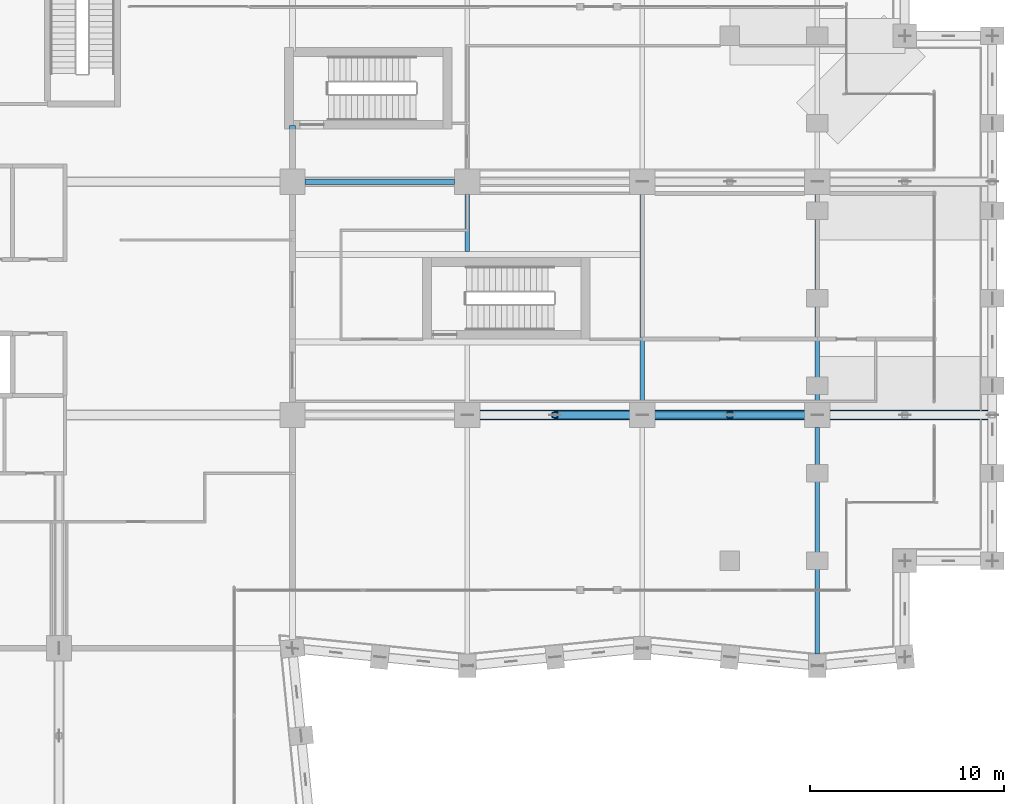
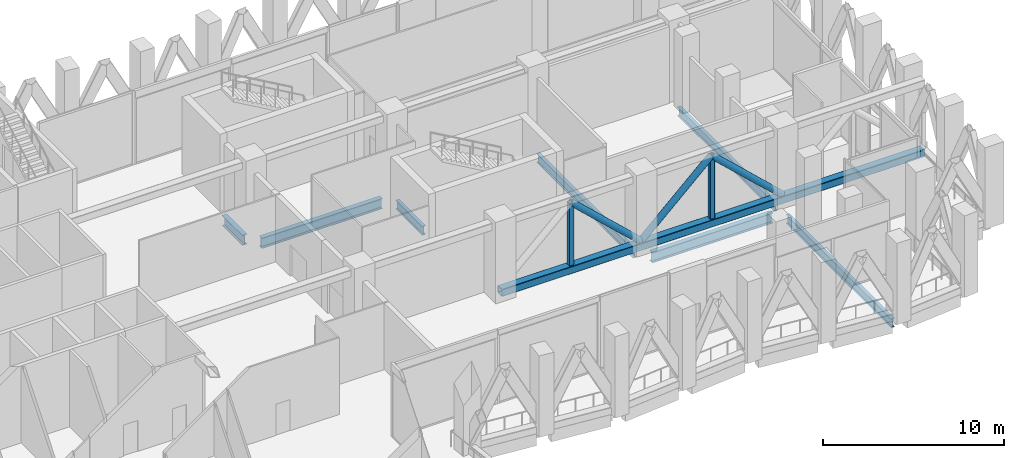
# One storey, part 14 of 37: 7 beams, 6 members.
"""IFC4 building model written with IfcOpenShell, lengths in metres."""

from ifc_helpers import new_model, si_unit, direction, frame, origin, origin_2d, place, context, subcontext, project, spatial, hollow_rectangle, hollow_circle, i_section, extrude, material, material_profile, profile_set, type_object, element, save


model = new_model("IFC4")

# Units and contexts
model_context = context("Model", 3, precision=1e-05, world=origin(), true_north=direction((0.0, 1.0)))
body_context = subcontext(model_context, "Body", "Model", "MODEL_VIEW")
ifc_project = project(units=[si_unit("LENGTHUNIT", "METRE"), si_unit("AREAUNIT", "SQUARE_METRE"), si_unit("VOLUMEUNIT", "CUBIC_METRE"), si_unit("PLANEANGLEUNIT", "RADIAN"), si_unit("MASSUNIT", "GRAM", prefix="KILO")], contexts=[model_context])

# Site, building, storey
site_placement = place(None, origin())
site = spatial("IfcSite", under=ifc_project, at=site_placement, CompositionType="ELEMENT")
building_placement = place(site_placement, origin())
building = spatial("IfcBuilding", under=site, at=building_placement, Name="Brondeck Convention Tower", CompositionType="ELEMENT")
storey_placement = place(building_placement, frame((0.0, 0.0, 137.89990234375)))
storey = spatial("IfcBuildingStorey", under=building, at=storey_placement, Name="L33", CompositionType="ELEMENT", Elevation=137.89990234375)

# Beams
ifc_material_1 = material(Name="Steel S355", Category="steel")
ifc_material_profile_1 = material_profile(ifc_material_1, i_section(OverallWidth=0.219970703125, OverallDepth=0.60009765625, WebThickness=0.011962890625, FlangeThickness=0.01904296875, FilletRadius=0.02392578125, at=origin_2d()), Name="IPE 600")
ifc_profile_set_1 = profile_set([ifc_material_profile_1], Name="Steel S355")
beam_type_1 = type_object("IfcBeamType", Name="Floor beam IPE 600", PredefinedType="BEAM", material=ifc_profile_set_1)
beam_1_placement = place(storey_placement, frame((54.0, 39.64990234375, -0.75), z_axis=(0.0, 1.0, 0.0), x_axis=(-1.0, 0.0, 0.0)))
element("IfcBeam", 1, at=beam_1_placement, inside=storey, type_object=beam_type_1, Name="STR-FB-L33-004", PredefinedType="BEAM", context=body_context, shape_type="SweptSolid", body=[
    extrude(i_section(OverallWidth=0.219970703125, OverallDepth=0.60009765625, WebThickness=0.011962890625, FlangeThickness=0.01904296875, FilletRadius=0.02392578125, at=origin_2d()), origin(), (0.0, 0.0, 1.0), 10.7001953125),
])
beam_2_placement = place(storey_placement, frame((63.0, 26.699951171875, -0.75), z_axis=(0.0, 1.0, 0.0), x_axis=(-1.0, 0.0, 0.0)))
element("IfcBeam", 2, at=beam_2_placement, inside=storey, type_object=beam_type_1, Name="STR-FB-L33-006", PredefinedType="BEAM", context=body_context, shape_type="SweptSolid", body=[
    extrude(i_section(OverallWidth=0.219970703125, OverallDepth=0.60009765625, WebThickness=0.011962890625, FlangeThickness=0.01904296875, FilletRadius=0.02392578125, at=origin_2d()), origin(), (0.0, 0.0, 1.0), 11.650146484375),
])
beam_3_placement = place(storey_placement, frame((63.0, 39.64990234375, -0.75), z_axis=(0.0, 1.0, 0.0), x_axis=(-1.0, 0.0, 0.0)))
element("IfcBeam", 3, at=beam_3_placement, inside=storey, type_object=beam_type_1, Name="STR-FB-L33-007", PredefinedType="BEAM", context=body_context, shape_type="SweptSolid", body=[
    extrude(i_section(OverallWidth=0.219970703125, OverallDepth=0.60009765625, WebThickness=0.011962890625, FlangeThickness=0.01904296875, FilletRadius=0.02392578125, at=origin_2d()), origin(), (0.0, 0.0, 1.0), 10.7001953125),
])
beam_4_placement = place(storey_placement, frame((45.0, 47.39990234375, -0.75), z_axis=(0.0, 1.0, 0.0), x_axis=(-1.0, 0.0, 0.0)))
element("IfcBeam", 4, at=beam_4_placement, inside=storey, type_object=beam_type_1, Name="STR-FB-L33-015", PredefinedType="BEAM", context=body_context, shape_type="SweptSolid", body=[
    extrude(i_section(OverallWidth=0.219970703125, OverallDepth=0.60009765625, WebThickness=0.011962890625, FlangeThickness=0.01904296875, FilletRadius=0.02392578125, at=origin_2d()), origin(), (0.0, 0.0, 1.0), 2.9501953125),
])
ifc_material_profile_2 = material_profile(ifc_material_1, i_section(OverallWidth=0.300048828125, OverallDepth=0.699951171875, WebThickness=0.01708984375, FlangeThickness=0.031982421875, FilletRadius=0.027099609375, at=origin_2d()), Name="HEB 700")
ifc_profile_set_2 = profile_set([ifc_material_profile_2], Name="Steel S355")
beam_type_2 = type_object("IfcBeamType", Name="Girder HEB 700", PredefinedType="BEAM", material=ifc_profile_set_2)
for number, where, z_axis, x_axis, name in (
    (5, (54.64990234375, 39.0, -0.7998046875), (1.0, 0.0, 0.0), (0.0, 1.0, 0.0), "STR-GR-L33-003"),
    (6, (36.64990234375, 51.0, -0.7998046875), (1.0, 0.0, 0.0), (0.0, 1.0, 0.0), "STR-GR-L33-005"),
):
    element("IfcBeam", number, at=place(storey_placement, frame(where, z_axis=z_axis, x_axis=x_axis)), inside=storey, type_object=beam_type_2, Name=name, PredefinedType="BEAM", context=body_context, shape_type="SweptSolid", body=[
        extrude(i_section(OverallWidth=0.300048828125, OverallDepth=0.699951171875, WebThickness=0.01708984375, FlangeThickness=0.031982421875, FilletRadius=0.027099609375, at=origin_2d()), origin(), (0.0, 0.0, 1.0), 7.7001953125),
    ])
beam_5_placement = place(storey_placement, frame((36.0, 51.64990234375, -0.7998046875), z_axis=(0.0, 1.0, 0.0), x_axis=(-1.0, 0.0, 0.0)))
element("IfcBeam", 7, at=beam_5_placement, inside=storey, type_object=beam_type_2, Name="STR-GR-L33-011", PredefinedType="BEAM", context=body_context, shape_type="SweptSolid", body=[
    extrude(i_section(OverallWidth=0.300048828125, OverallDepth=0.699951171875, WebThickness=0.01708984375, FlangeThickness=0.031982421875, FilletRadius=0.027099609375, at=origin_2d()), origin(), (0.0, 0.0, 1.0), 2.22998046875),
])

# Members
ifc_material_2 = material(Name="Steel S460", Category="steel")
ifc_material_profile_3 = material_profile(ifc_material_2, hollow_rectangle(XDim=0.5, YDim=0.5, WallThickness=0.02490234375, InnerFilletRadius=0.02490234375, OuterFilletRadius=0.050048828125, at=origin_2d()), Name="RHS 500x500x25")
ifc_profile_set_3 = profile_set([ifc_material_profile_3], Name="Steel S460")
member_type_1 = type_object("IfcMemberType", Name="Truss chord RHS 500x500x25", PredefinedType="CHORD", material=ifc_profile_set_3)
member_placement = place(storey_placement, frame((45.0, 39.0, 0.25), z_axis=(1.0, 0.0, 0.0), x_axis=(0.0, 1.0, 0.0)))
element("IfcMember", 8, at=member_placement, inside=storey, type_object=member_type_1, Name="Outrigger truss OT-33-A1 chord", PredefinedType="CHORD", context=body_context, shape_type="SweptSolid", body=[
    extrude(hollow_rectangle(XDim=0.5, YDim=0.5, WallThickness=0.02490234375, InnerFilletRadius=0.02490234375, OuterFilletRadius=0.050048828125, at=origin_2d()), origin(), (0.0, 0.0, 1.0), 27.0),
])
ifc_material_profile_4 = material_profile(ifc_material_2, hollow_circle(Radius=0.203125, WallThickness=0.02490234375, at=origin_2d()), Name="CHS 406.4x25")
ifc_profile_set_4 = profile_set([ifc_material_profile_4], Name="Steel S460")
member_type_2 = type_object("IfcMemberType", Name="Truss diagonal CHS 406.4x25", PredefinedType="BRACE", material=ifc_profile_set_4)
for number, where, z_axis, x_axis, name in (
    (9, (49.5, 39.0, 4.7001953125), (0.731039441158, 0.0, -0.682335207557), (0.0, 1.0, 0.0), "Outrigger truss OT-33-A1 diagonal"),
    (10, (54.0, 39.0, 0.5), (0.731039441158, 0.0, 0.682335207557), (0.0, 1.0, 0.0), "Outrigger truss OT-33-A1 diagonal"),
    (11, (58.5, 39.0, 4.7001953125), (0.731039441158, 0.0, -0.682335207557), (0.0, 1.0, 0.0), "Outrigger truss OT-33-A1 diagonal"),
):
    element("IfcMember", number, at=place(storey_placement, frame(where, z_axis=z_axis, x_axis=x_axis)), inside=storey, type_object=member_type_2, Name=name, PredefinedType="BRACE", context=body_context, shape_type="SweptSolid", body=[
        extrude(hollow_circle(Radius=0.203125, WallThickness=0.02490234375, at=origin_2d()), origin(), (0.0, 0.0, 1.0), 6.155517578125),
    ])
ifc_material_profile_5 = material_profile(ifc_material_2, hollow_rectangle(XDim=0.300048828125, YDim=0.300048828125, WallThickness=0.01611328125, InnerFilletRadius=0.01611328125, OuterFilletRadius=0.031982421875, at=origin_2d()), Name="RHS 300x300x16")
ifc_profile_set_5 = profile_set([ifc_material_profile_5], Name="Steel S460")
member_type_3 = type_object("IfcMemberType", Name="Truss vertical RHS 300x300x16", PredefinedType="STRUT", material=ifc_profile_set_5)
for number, where, z_axis, x_axis, name in (
    (12, (49.5, 39.0, 0.5), (0.0, 0.0, 1.0), (1.0, 0.0, 0.0), "Outrigger truss OT-33-A1 vertical"),
    (13, (58.5, 39.0, 0.5), (0.0, 0.0, 1.0), (1.0, 0.0, 0.0), "Outrigger truss OT-33-A1 vertical"),
):
    element("IfcMember", number, at=place(storey_placement, frame(where, z_axis=z_axis, x_axis=x_axis)), inside=storey, type_object=member_type_3, Name=name, PredefinedType="STRUT", context=body_context, shape_type="SweptSolid", body=[
        extrude(hollow_rectangle(XDim=0.300048828125, YDim=0.300048828125, WallThickness=0.01611328125, InnerFilletRadius=0.01611328125, OuterFilletRadius=0.031982421875, at=origin_2d()), origin(), (0.0, 0.0, 1.0), 4.2001953125),
    ])

save(model, "model.ifc")
